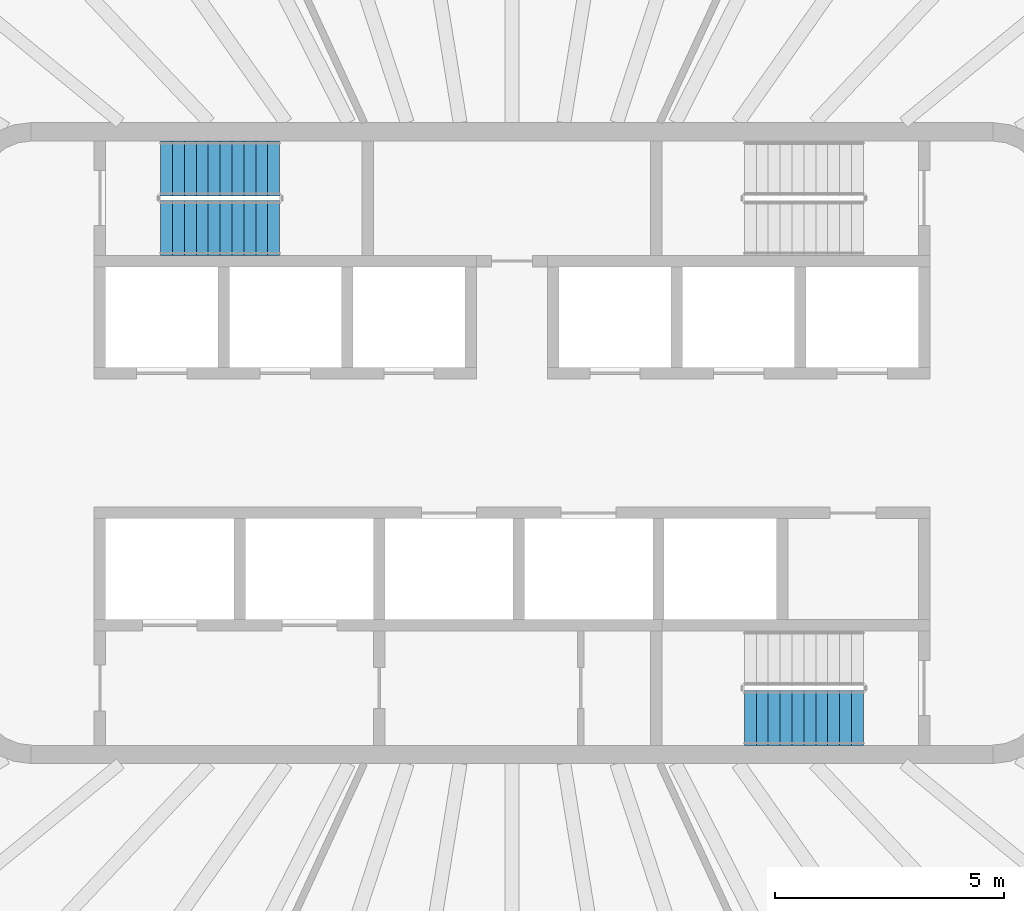
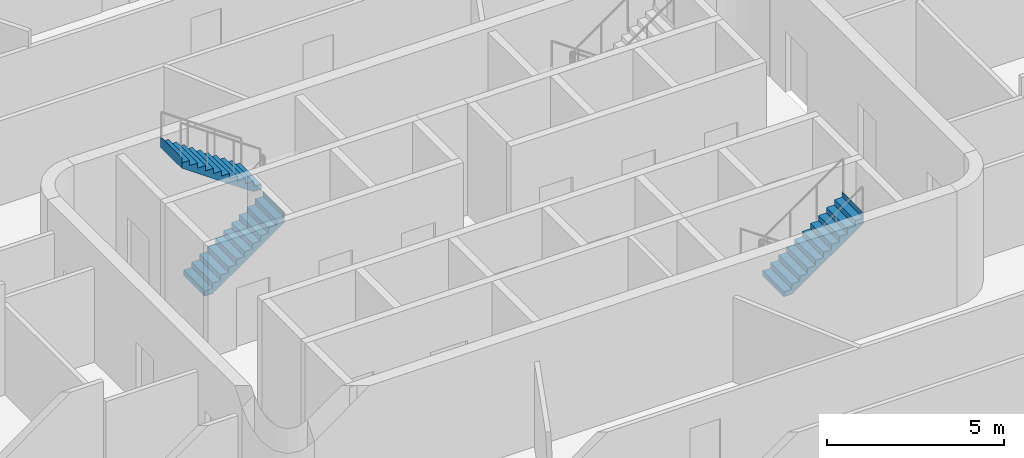
# One storey, part 12 of 18: 3 stair flights, 2 elements without a shape of their own.
"""IFC4 building model written with IfcOpenShell, lengths in metres."""

from ifc_helpers import new_model, si_unit, direction, frame, origin, place, context, subcontext, project, spatial, triangles, material, type_object, element, aggregate, save


model = new_model("IFC4")

# Units and contexts
model_context = context("Model", 3, precision=1e-05, world=origin(), true_north=direction((0.0, 1.0)))
body_context = subcontext(model_context, "Body", "Model", "MODEL_VIEW")
ifc_project = project(units=[si_unit("LENGTHUNIT", "METRE"), si_unit("AREAUNIT", "SQUARE_METRE"), si_unit("VOLUMEUNIT", "CUBIC_METRE"), si_unit("PLANEANGLEUNIT", "RADIAN"), si_unit("MASSUNIT", "GRAM", prefix="KILO")], contexts=[model_context])

# Site, building, storey
site_placement = place(None, origin())
site = spatial("IfcSite", under=ifc_project, at=site_placement, CompositionType="ELEMENT")
building_placement = place(site_placement, origin())
building = spatial("IfcBuilding", under=site, at=building_placement, Name="Sahrelin Media Tower", CompositionType="ELEMENT")
storey_placement = place(building_placement, frame((0.0, 0.0, 316.39990234375)))
storey = spatial("IfcBuildingStorey", under=building, at=storey_placement, Name="L70", CompositionType="ELEMENT", Elevation=316.39990234375)

# Stair, stair flights
ifc_material = material(Name="Concrete C40/50", Category="concrete")
stair_type = type_object("IfcStairType", Name="Exit stair 1200", PredefinedType="HALF_TURN_STAIR", material=ifc_material)
placement = place(storey_placement, origin())
stair_1 = element("IfcStair", 1, at=placement, inside=storey, type_object=stair_type, Name="L70 Exit stair ST1", PredefinedType="HALF_TURN_STAIR")
stair_flight_type = type_object("IfcStairFlightType", Name="Stair flight 1200", PredefinedType="STRAIGHT", material=ifc_material)
stair_flight_1_placement = place(storey_placement, frame((-7.675048828125, 4.699951171875, 0.0), z_axis=(0.0, 0.0, 1.0), x_axis=(1.0, 0.0, 0.0)))
stair_flight_1 = element("IfcStairFlight", 2, at=stair_flight_1_placement, type_object=stair_flight_type, Name="ST1 flight 1", NumberOfRisers=11, NumberOfTreads=10, PredefinedType="STRAIGHT", RiserHeight=0.181818182, TreadLength=0.26, context=body_context, shape_type="Tessellation", body=[
    triangles([(0.261474609375, 0.60009765625, 0.0), (0.261474609375, 0.300048828125, 0.0), (0.261474609375, 0.0, 0.0), (0.261474609375, -0.300048828125, 0.0), (0.261474609375, -0.60009765625, 0.0), (2.60009765625, 0.60009765625, 1.63525390625), (2.60009765625, 0.300048828125, 1.63525390625), (2.60009765625, 0.0, 1.63525390625), (2.60009765625, -0.300048828125, 1.63525390625), (2.60009765625, -0.60009765625, 1.63525390625), (2.60009765625, 0.60009765625, 2.0), (2.60009765625, 0.300048828125, 2.0), (2.60009765625, 0.0, 2.0), (2.60009765625, -0.300048828125, 2.0), (2.60009765625, -0.60009765625, 2.0), (2.597900390625, 0.60009765625, 2.0), (2.597900390625, 0.300048828125, 2.0), (2.597900390625, 0.0, 2.0), (2.597900390625, -0.300048828125, 2.0), (2.597900390625, -0.60009765625, 2.0), (2.597900390625, 0.60009765625, 1.818115234375), (2.597900390625, 0.300048828125, 1.818115234375), (2.597900390625, 0.0, 1.818115234375), (2.597900390625, -0.300048828125, 1.818115234375), (2.597900390625, -0.60009765625, 1.818115234375), (2.340087890625, 0.60009765625, 1.818115234375), (2.340087890625, 0.300048828125, 1.818115234375), (2.340087890625, 0.0, 1.818115234375), (2.340087890625, -0.300048828125, 1.818115234375), (2.340087890625, -0.60009765625, 1.818115234375), (2.340087890625, 0.60009765625, 1.636474609375), (2.340087890625, 0.300048828125, 1.636474609375), (2.340087890625, 0.0, 1.636474609375), (2.340087890625, -0.300048828125, 1.636474609375), (2.340087890625, -0.60009765625, 1.636474609375), (2.080078125, 0.60009765625, 1.636474609375), (2.080078125, 0.300048828125, 1.636474609375), (2.080078125, 0.0, 1.636474609375), (2.080078125, -0.300048828125, 1.636474609375), (2.080078125, -0.60009765625, 1.636474609375), (2.080078125, 0.60009765625, 1.45458984375), (2.080078125, 0.300048828125, 1.45458984375), (2.080078125, 0.0, 1.45458984375), (2.080078125, -0.300048828125, 1.45458984375), (2.080078125, -0.60009765625, 1.45458984375), (1.820068359375, 0.60009765625, 1.45458984375), (1.820068359375, 0.300048828125, 1.45458984375), (1.820068359375, 0.0, 1.45458984375), (1.820068359375, -0.300048828125, 1.45458984375), (1.820068359375, -0.60009765625, 1.45458984375), (1.820068359375, 0.60009765625, 1.272705078125), (1.820068359375, 0.300048828125, 1.272705078125), (1.820068359375, 0.0, 1.272705078125), (1.820068359375, -0.300048828125, 1.272705078125), (1.820068359375, -0.60009765625, 1.272705078125), (1.56005859375, 0.60009765625, 1.272705078125), (1.56005859375, 0.300048828125, 1.272705078125), (1.56005859375, 0.0, 1.272705078125), (1.56005859375, -0.300048828125, 1.272705078125), (1.56005859375, -0.60009765625, 1.272705078125), (1.56005859375, 0.60009765625, 1.0908203125), (1.56005859375, 0.300048828125, 1.0908203125), (1.56005859375, 0.0, 1.0908203125), (1.56005859375, -0.300048828125, 1.0908203125), (1.56005859375, -0.60009765625, 1.0908203125), (1.300048828125, 0.60009765625, 1.0908203125), (1.300048828125, 0.300048828125, 1.0908203125), (1.300048828125, 0.0, 1.0908203125), (1.300048828125, -0.300048828125, 1.0908203125), (1.300048828125, -0.60009765625, 1.0908203125), (1.300048828125, 0.60009765625, 0.9091796875), (1.300048828125, 0.300048828125, 0.9091796875), (1.300048828125, 0.0, 0.9091796875), (1.300048828125, -0.300048828125, 0.9091796875), (1.300048828125, -0.60009765625, 0.9091796875), (1.0400390625, 0.60009765625, 0.9091796875), (1.0400390625, 0.300048828125, 0.9091796875), (1.0400390625, 0.0, 0.9091796875), (1.0400390625, -0.300048828125, 0.9091796875), (1.0400390625, -0.60009765625, 0.9091796875), (1.0400390625, 0.60009765625, 0.727294921875), (1.0400390625, 0.300048828125, 0.727294921875), (1.0400390625, 0.0, 0.727294921875), (1.0400390625, -0.300048828125, 0.727294921875), (1.0400390625, -0.60009765625, 0.727294921875), (0.780029296875, 0.60009765625, 0.727294921875), (0.780029296875, 0.300048828125, 0.727294921875), (0.780029296875, 0.0, 0.727294921875), (0.780029296875, -0.300048828125, 0.727294921875), (0.780029296875, -0.60009765625, 0.727294921875), (0.780029296875, 0.60009765625, 0.54541015625), (0.780029296875, 0.300048828125, 0.54541015625), (0.780029296875, 0.0, 0.54541015625), (0.780029296875, -0.300048828125, 0.54541015625), (0.780029296875, -0.60009765625, 0.54541015625), (0.52001953125, 0.60009765625, 0.54541015625), (0.52001953125, 0.300048828125, 0.54541015625), (0.52001953125, 0.0, 0.54541015625), (0.52001953125, -0.300048828125, 0.54541015625), (0.52001953125, -0.60009765625, 0.54541015625), (0.52001953125, 0.60009765625, 0.363525390625), (0.52001953125, 0.300048828125, 0.363525390625), (0.52001953125, 0.0, 0.363525390625), (0.52001953125, -0.300048828125, 0.363525390625), (0.52001953125, -0.60009765625, 0.363525390625), (0.260009765625, 0.60009765625, 0.363525390625), (0.260009765625, 0.300048828125, 0.363525390625), (0.260009765625, 0.0, 0.363525390625), (0.260009765625, -0.300048828125, 0.363525390625), (0.260009765625, -0.60009765625, 0.363525390625), (0.260009765625, 0.60009765625, 0.181884765625), (0.260009765625, 0.300048828125, 0.181884765625), (0.260009765625, 0.0, 0.181884765625), (0.260009765625, -0.300048828125, 0.181884765625), (0.260009765625, -0.60009765625, 0.181884765625), (0.0, 0.60009765625, 0.181884765625), (0.0, 0.300048828125, 0.181884765625), (0.0, 0.0, 0.181884765625), (0.0, -0.300048828125, 0.181884765625), (0.0, -0.60009765625, 0.181884765625), (0.0, 0.60009765625, 0.0), (0.0, 0.300048828125, 0.0), (0.0, 0.0, 0.0), (0.0, -0.300048828125, 0.0), (0.0, -0.60009765625, 0.0)], [[1, 6, 7], [1, 7, 2], [2, 7, 8], [2, 8, 3], [3, 8, 9], [3, 9, 4], [4, 9, 10], [4, 10, 5], [6, 11, 12], [6, 12, 7], [7, 12, 13], [7, 13, 8], [8, 13, 14], [8, 14, 9], [9, 14, 15], [9, 15, 10], [11, 16, 17], [11, 17, 12], [12, 17, 18], [12, 18, 13], [13, 18, 19], [13, 19, 14], [14, 19, 20], [14, 20, 15], [16, 21, 22], [16, 22, 17], [17, 22, 23], [17, 23, 18], [18, 23, 24], [18, 24, 19], [19, 24, 25], [19, 25, 20], [21, 26, 27], [21, 27, 22], [22, 27, 28], [22, 28, 23], [23, 28, 29], [23, 29, 24], [24, 29, 30], [24, 30, 25], [26, 31, 32], [26, 32, 27], [27, 32, 33], [27, 33, 28], [28, 33, 34], [28, 34, 29], [29, 34, 35], [29, 35, 30], [31, 36, 37], [31, 37, 32], [32, 37, 38], [32, 38, 33], [33, 38, 39], [33, 39, 34], [34, 39, 40], [34, 40, 35], [36, 41, 42], [36, 42, 37], [37, 42, 43], [37, 43, 38], [38, 43, 44], [38, 44, 39], [39, 44, 45], [39, 45, 40], [41, 46, 47], [41, 47, 42], [42, 47, 48], [42, 48, 43], [43, 48, 49], [43, 49, 44], [44, 49, 50], [44, 50, 45], [46, 51, 52], [46, 52, 47], [47, 52, 53], [47, 53, 48], [48, 53, 54], [48, 54, 49], [49, 54, 55], [49, 55, 50], [51, 56, 57], [51, 57, 52], [52, 57, 58], [52, 58, 53], [53, 58, 59], [53, 59, 54], [54, 59, 60], [54, 60, 55], [56, 61, 62], [56, 62, 57], [57, 62, 63], [57, 63, 58], [58, 63, 64], [58, 64, 59], [59, 64, 65], [59, 65, 60], [61, 66, 67], [61, 67, 62], [62, 67, 68], [62, 68, 63], [63, 68, 69], [63, 69, 64], [64, 69, 70], [64, 70, 65], [66, 71, 72], [66, 72, 67], [67, 72, 73], [67, 73, 68], [68, 73, 74], [68, 74, 69], [69, 74, 75], [69, 75, 70], [71, 76, 77], [71, 77, 72], [72, 77, 78], [72, 78, 73], [73, 78, 79], [73, 79, 74], [74, 79, 80], [74, 80, 75], [76, 81, 82], [76, 82, 77], [77, 82, 83], [77, 83, 78], [78, 83, 84], [78, 84, 79], [79, 84, 85], [79, 85, 80], [81, 86, 87], [81, 87, 82], [82, 87, 88], [82, 88, 83], [83, 88, 89], [83, 89, 84], [84, 89, 90], [84, 90, 85], [86, 91, 92], [86, 92, 87], [87, 92, 93], [87, 93, 88], [88, 93, 94], [88, 94, 89], [89, 94, 95], [89, 95, 90], [91, 96, 97], [91, 97, 92], [92, 97, 98], [92, 98, 93], [93, 98, 99], [93, 99, 94], [94, 99, 100], [94, 100, 95], [96, 101, 102], [96, 102, 97], [97, 102, 103], [97, 103, 98], [98, 103, 104], [98, 104, 99], [99, 104, 105], [99, 105, 100], [101, 106, 107], [101, 107, 102], [102, 107, 108], [102, 108, 103], [103, 108, 109], [103, 109, 104], [104, 109, 110], [104, 110, 105], [106, 111, 112], [106, 112, 107], [107, 112, 113], [107, 113, 108], [108, 113, 114], [108, 114, 109], [109, 114, 115], [109, 115, 110], [111, 116, 117], [111, 117, 112], [112, 117, 118], [112, 118, 113], [113, 118, 119], [113, 119, 114], [114, 119, 120], [114, 120, 115], [116, 121, 122], [116, 122, 117], [117, 122, 123], [117, 123, 118], [118, 123, 124], [118, 124, 119], [119, 124, 125], [119, 125, 120], [121, 1, 2], [121, 2, 122], [122, 2, 3], [122, 3, 123], [123, 3, 4], [123, 4, 124], [124, 4, 5], [124, 5, 125], [115, 120, 125], [111, 121, 116], [115, 105, 110], [111, 106, 101], [105, 95, 100], [101, 96, 91], [95, 85, 90], [91, 86, 81], [85, 75, 80], [81, 76, 71], [75, 65, 70], [71, 66, 61], [65, 55, 60], [61, 56, 51], [55, 45, 50], [51, 46, 41], [45, 35, 40], [41, 36, 31], [35, 25, 30], [31, 26, 21], [25, 15, 20], [21, 16, 11], [125, 5, 115], [121, 111, 1], [25, 10, 15], [21, 11, 6], [105, 115, 5], [101, 1, 111], [35, 10, 25], [31, 21, 6], [95, 105, 5], [91, 1, 101], [45, 10, 35], [41, 31, 6], [85, 95, 5], [81, 1, 91], [55, 10, 45], [51, 41, 6], [75, 85, 5], [71, 1, 81], [65, 10, 55], [61, 51, 6], [5, 10, 75], [1, 71, 6], [75, 10, 65], [71, 61, 6]], closed=True),
])
stair_flight_2_placement = place(storey_placement, frame((-5.074951171875, 6.0, 2.0), z_axis=(0.0, 0.0, 1.0), x_axis=(-1.0, 0.0, 0.0)))
stair_flight_2 = element("IfcStairFlight", 3, at=stair_flight_2_placement, type_object=stair_flight_type, Name="ST1 flight 2", NumberOfRisers=11, NumberOfTreads=10, PredefinedType="STRAIGHT", RiserHeight=0.181818182, TreadLength=0.26, context=body_context, shape_type="Tessellation", body=[
    triangles([(0.261474609375, 0.60009765625, 0.0), (0.261474609375, 0.300048828125, 0.0), (0.261474609375, 0.0, 0.0), (0.261474609375, -0.300048828125, 0.0), (0.261474609375, -0.60009765625, 0.0), (2.60009765625, 0.60009765625, 1.63525390625), (2.60009765625, 0.300048828125, 1.63525390625), (2.60009765625, 0.0, 1.63525390625), (2.60009765625, -0.300048828125, 1.63525390625), (2.60009765625, -0.60009765625, 1.63525390625), (2.60009765625, 0.60009765625, 2.0), (2.60009765625, 0.300048828125, 2.0), (2.60009765625, 0.0, 2.0), (2.60009765625, -0.300048828125, 2.0), (2.60009765625, -0.60009765625, 2.0), (2.597900390625, 0.60009765625, 2.0), (2.597900390625, 0.300048828125, 2.0), (2.597900390625, 0.0, 2.0), (2.597900390625, -0.300048828125, 2.0), (2.597900390625, -0.60009765625, 2.0), (2.597900390625, 0.60009765625, 1.818115234375), (2.597900390625, 0.300048828125, 1.818115234375), (2.597900390625, 0.0, 1.818115234375), (2.597900390625, -0.300048828125, 1.818115234375), (2.597900390625, -0.60009765625, 1.818115234375), (2.340087890625, 0.60009765625, 1.818115234375), (2.340087890625, 0.300048828125, 1.818115234375), (2.340087890625, 0.0, 1.818115234375), (2.340087890625, -0.300048828125, 1.818115234375), (2.340087890625, -0.60009765625, 1.818115234375), (2.340087890625, 0.60009765625, 1.636474609375), (2.340087890625, 0.300048828125, 1.636474609375), (2.340087890625, 0.0, 1.636474609375), (2.340087890625, -0.300048828125, 1.636474609375), (2.340087890625, -0.60009765625, 1.636474609375), (2.080078125, 0.60009765625, 1.636474609375), (2.080078125, 0.300048828125, 1.636474609375), (2.080078125, 0.0, 1.636474609375), (2.080078125, -0.300048828125, 1.636474609375), (2.080078125, -0.60009765625, 1.636474609375), (2.080078125, 0.60009765625, 1.45458984375), (2.080078125, 0.300048828125, 1.45458984375), (2.080078125, 0.0, 1.45458984375), (2.080078125, -0.300048828125, 1.45458984375), (2.080078125, -0.60009765625, 1.45458984375), (1.820068359375, 0.60009765625, 1.45458984375), (1.820068359375, 0.300048828125, 1.45458984375), (1.820068359375, 0.0, 1.45458984375), (1.820068359375, -0.300048828125, 1.45458984375), (1.820068359375, -0.60009765625, 1.45458984375), (1.820068359375, 0.60009765625, 1.272705078125), (1.820068359375, 0.300048828125, 1.272705078125), (1.820068359375, 0.0, 1.272705078125), (1.820068359375, -0.300048828125, 1.272705078125), (1.820068359375, -0.60009765625, 1.272705078125), (1.56005859375, 0.60009765625, 1.272705078125), (1.56005859375, 0.300048828125, 1.272705078125), (1.56005859375, 0.0, 1.272705078125), (1.56005859375, -0.300048828125, 1.272705078125), (1.56005859375, -0.60009765625, 1.272705078125), (1.56005859375, 0.60009765625, 1.0908203125), (1.56005859375, 0.300048828125, 1.0908203125), (1.56005859375, 0.0, 1.0908203125), (1.56005859375, -0.300048828125, 1.0908203125), (1.56005859375, -0.60009765625, 1.0908203125), (1.300048828125, 0.60009765625, 1.0908203125), (1.300048828125, 0.300048828125, 1.0908203125), (1.300048828125, 0.0, 1.0908203125), (1.300048828125, -0.300048828125, 1.0908203125), (1.300048828125, -0.60009765625, 1.0908203125), (1.300048828125, 0.60009765625, 0.9091796875), (1.300048828125, 0.300048828125, 0.9091796875), (1.300048828125, 0.0, 0.9091796875), (1.300048828125, -0.300048828125, 0.9091796875), (1.300048828125, -0.60009765625, 0.9091796875), (1.0400390625, 0.60009765625, 0.9091796875), (1.0400390625, 0.300048828125, 0.9091796875), (1.0400390625, 0.0, 0.9091796875), (1.0400390625, -0.300048828125, 0.9091796875), (1.0400390625, -0.60009765625, 0.9091796875), (1.0400390625, 0.60009765625, 0.727294921875), (1.0400390625, 0.300048828125, 0.727294921875), (1.0400390625, 0.0, 0.727294921875), (1.0400390625, -0.300048828125, 0.727294921875), (1.0400390625, -0.60009765625, 0.727294921875), (0.780029296875, 0.60009765625, 0.727294921875), (0.780029296875, 0.300048828125, 0.727294921875), (0.780029296875, 0.0, 0.727294921875), (0.780029296875, -0.300048828125, 0.727294921875), (0.780029296875, -0.60009765625, 0.727294921875), (0.780029296875, 0.60009765625, 0.54541015625), (0.780029296875, 0.300048828125, 0.54541015625), (0.780029296875, 0.0, 0.54541015625), (0.780029296875, -0.300048828125, 0.54541015625), (0.780029296875, -0.60009765625, 0.54541015625), (0.52001953125, 0.60009765625, 0.54541015625), (0.52001953125, 0.300048828125, 0.54541015625), (0.52001953125, 0.0, 0.54541015625), (0.52001953125, -0.300048828125, 0.54541015625), (0.52001953125, -0.60009765625, 0.54541015625), (0.52001953125, 0.60009765625, 0.363525390625), (0.52001953125, 0.300048828125, 0.363525390625), (0.52001953125, 0.0, 0.363525390625), (0.52001953125, -0.300048828125, 0.363525390625), (0.52001953125, -0.60009765625, 0.363525390625), (0.260009765625, 0.60009765625, 0.363525390625), (0.260009765625, 0.300048828125, 0.363525390625), (0.260009765625, 0.0, 0.363525390625), (0.260009765625, -0.300048828125, 0.363525390625), (0.260009765625, -0.60009765625, 0.363525390625), (0.260009765625, 0.60009765625, 0.181884765625), (0.260009765625, 0.300048828125, 0.181884765625), (0.260009765625, 0.0, 0.181884765625), (0.260009765625, -0.300048828125, 0.181884765625), (0.260009765625, -0.60009765625, 0.181884765625), (0.0, 0.60009765625, 0.181884765625), (0.0, 0.300048828125, 0.181884765625), (0.0, 0.0, 0.181884765625), (0.0, -0.300048828125, 0.181884765625), (0.0, -0.60009765625, 0.181884765625), (0.0, 0.60009765625, 0.0), (0.0, 0.300048828125, 0.0), (0.0, 0.0, 0.0), (0.0, -0.300048828125, 0.0), (0.0, -0.60009765625, 0.0)], [[1, 6, 7], [1, 7, 2], [2, 7, 8], [2, 8, 3], [3, 8, 9], [3, 9, 4], [4, 9, 10], [4, 10, 5], [6, 11, 12], [6, 12, 7], [7, 12, 13], [7, 13, 8], [8, 13, 14], [8, 14, 9], [9, 14, 15], [9, 15, 10], [11, 16, 17], [11, 17, 12], [12, 17, 18], [12, 18, 13], [13, 18, 19], [13, 19, 14], [14, 19, 20], [14, 20, 15], [16, 21, 22], [16, 22, 17], [17, 22, 23], [17, 23, 18], [18, 23, 24], [18, 24, 19], [19, 24, 25], [19, 25, 20], [21, 26, 27], [21, 27, 22], [22, 27, 28], [22, 28, 23], [23, 28, 29], [23, 29, 24], [24, 29, 30], [24, 30, 25], [26, 31, 32], [26, 32, 27], [27, 32, 33], [27, 33, 28], [28, 33, 34], [28, 34, 29], [29, 34, 35], [29, 35, 30], [31, 36, 37], [31, 37, 32], [32, 37, 38], [32, 38, 33], [33, 38, 39], [33, 39, 34], [34, 39, 40], [34, 40, 35], [36, 41, 42], [36, 42, 37], [37, 42, 43], [37, 43, 38], [38, 43, 44], [38, 44, 39], [39, 44, 45], [39, 45, 40], [41, 46, 47], [41, 47, 42], [42, 47, 48], [42, 48, 43], [43, 48, 49], [43, 49, 44], [44, 49, 50], [44, 50, 45], [46, 51, 52], [46, 52, 47], [47, 52, 53], [47, 53, 48], [48, 53, 54], [48, 54, 49], [49, 54, 55], [49, 55, 50], [51, 56, 57], [51, 57, 52], [52, 57, 58], [52, 58, 53], [53, 58, 59], [53, 59, 54], [54, 59, 60], [54, 60, 55], [56, 61, 62], [56, 62, 57], [57, 62, 63], [57, 63, 58], [58, 63, 64], [58, 64, 59], [59, 64, 65], [59, 65, 60], [61, 66, 67], [61, 67, 62], [62, 67, 68], [62, 68, 63], [63, 68, 69], [63, 69, 64], [64, 69, 70], [64, 70, 65], [66, 71, 72], [66, 72, 67], [67, 72, 73], [67, 73, 68], [68, 73, 74], [68, 74, 69], [69, 74, 75], [69, 75, 70], [71, 76, 77], [71, 77, 72], [72, 77, 78], [72, 78, 73], [73, 78, 79], [73, 79, 74], [74, 79, 80], [74, 80, 75], [76, 81, 82], [76, 82, 77], [77, 82, 83], [77, 83, 78], [78, 83, 84], [78, 84, 79], [79, 84, 85], [79, 85, 80], [81, 86, 87], [81, 87, 82], [82, 87, 88], [82, 88, 83], [83, 88, 89], [83, 89, 84], [84, 89, 90], [84, 90, 85], [86, 91, 92], [86, 92, 87], [87, 92, 93], [87, 93, 88], [88, 93, 94], [88, 94, 89], [89, 94, 95], [89, 95, 90], [91, 96, 97], [91, 97, 92], [92, 97, 98], [92, 98, 93], [93, 98, 99], [93, 99, 94], [94, 99, 100], [94, 100, 95], [96, 101, 102], [96, 102, 97], [97, 102, 103], [97, 103, 98], [98, 103, 104], [98, 104, 99], [99, 104, 105], [99, 105, 100], [101, 106, 107], [101, 107, 102], [102, 107, 108], [102, 108, 103], [103, 108, 109], [103, 109, 104], [104, 109, 110], [104, 110, 105], [106, 111, 112], [106, 112, 107], [107, 112, 113], [107, 113, 108], [108, 113, 114], [108, 114, 109], [109, 114, 115], [109, 115, 110], [111, 116, 117], [111, 117, 112], [112, 117, 118], [112, 118, 113], [113, 118, 119], [113, 119, 114], [114, 119, 120], [114, 120, 115], [116, 121, 122], [116, 122, 117], [117, 122, 123], [117, 123, 118], [118, 123, 124], [118, 124, 119], [119, 124, 125], [119, 125, 120], [121, 1, 2], [121, 2, 122], [122, 2, 3], [122, 3, 123], [123, 3, 4], [123, 4, 124], [124, 4, 5], [124, 5, 125], [115, 120, 125], [111, 121, 116], [115, 105, 110], [111, 106, 101], [105, 95, 100], [101, 96, 91], [95, 85, 90], [91, 86, 81], [85, 75, 80], [81, 76, 71], [75, 65, 70], [71, 66, 61], [65, 55, 60], [61, 56, 51], [55, 45, 50], [51, 46, 41], [45, 35, 40], [41, 36, 31], [35, 25, 30], [31, 26, 21], [25, 15, 20], [21, 16, 11], [125, 5, 115], [121, 111, 1], [25, 10, 15], [21, 11, 6], [105, 115, 5], [101, 1, 111], [35, 10, 25], [31, 21, 6], [95, 105, 5], [91, 1, 101], [45, 10, 35], [41, 31, 6], [85, 95, 5], [81, 1, 91], [55, 10, 45], [51, 41, 6], [75, 85, 5], [71, 1, 81], [65, 10, 55], [61, 51, 6], [5, 10, 75], [1, 71, 6], [75, 10, 65], [71, 61, 6]], closed=True),
])
aggregate(stair_1, [stair_flight_1, stair_flight_2])

# Stair, stair flight
stair_2 = element("IfcStair", 4, at=placement, inside=storey, type_object=stair_type, Name="L70 Exit stair ST2", PredefinedType="HALF_TURN_STAIR")
stair_flight_3_placement = place(storey_placement, frame((5.074951171875, -6.0, 2.0), z_axis=(0.0, 0.0, 1.0), x_axis=(1.0, 0.0, 0.0)))
stair_flight_3 = element("IfcStairFlight", 5, at=stair_flight_3_placement, type_object=stair_flight_type, Name="ST2 flight 2", NumberOfRisers=11, NumberOfTreads=10, PredefinedType="STRAIGHT", RiserHeight=0.181818182, TreadLength=0.26, context=body_context, shape_type="Tessellation", body=[
    triangles([(0.261474609375, 0.60009765625, 0.0), (0.261474609375, 0.300048828125, 0.0), (0.261474609375, 0.0, 0.0), (0.261474609375, -0.300048828125, 0.0), (0.261474609375, -0.60009765625, 0.0), (2.60009765625, 0.60009765625, 1.63525390625), (2.60009765625, 0.300048828125, 1.63525390625), (2.60009765625, 0.0, 1.63525390625), (2.60009765625, -0.300048828125, 1.63525390625), (2.60009765625, -0.60009765625, 1.63525390625), (2.60009765625, 0.60009765625, 2.0), (2.60009765625, 0.300048828125, 2.0), (2.60009765625, 0.0, 2.0), (2.60009765625, -0.300048828125, 2.0), (2.60009765625, -0.60009765625, 2.0), (2.597900390625, 0.60009765625, 2.0), (2.597900390625, 0.300048828125, 2.0), (2.597900390625, 0.0, 2.0), (2.597900390625, -0.300048828125, 2.0), (2.597900390625, -0.60009765625, 2.0), (2.597900390625, 0.60009765625, 1.818115234375), (2.597900390625, 0.300048828125, 1.818115234375), (2.597900390625, 0.0, 1.818115234375), (2.597900390625, -0.300048828125, 1.818115234375), (2.597900390625, -0.60009765625, 1.818115234375), (2.340087890625, 0.60009765625, 1.818115234375), (2.340087890625, 0.300048828125, 1.818115234375), (2.340087890625, 0.0, 1.818115234375), (2.340087890625, -0.300048828125, 1.818115234375), (2.340087890625, -0.60009765625, 1.818115234375), (2.340087890625, 0.60009765625, 1.636474609375), (2.340087890625, 0.300048828125, 1.636474609375), (2.340087890625, 0.0, 1.636474609375), (2.340087890625, -0.300048828125, 1.636474609375), (2.340087890625, -0.60009765625, 1.636474609375), (2.080078125, 0.60009765625, 1.636474609375), (2.080078125, 0.300048828125, 1.636474609375), (2.080078125, 0.0, 1.636474609375), (2.080078125, -0.300048828125, 1.636474609375), (2.080078125, -0.60009765625, 1.636474609375), (2.080078125, 0.60009765625, 1.45458984375), (2.080078125, 0.300048828125, 1.45458984375), (2.080078125, 0.0, 1.45458984375), (2.080078125, -0.300048828125, 1.45458984375), (2.080078125, -0.60009765625, 1.45458984375), (1.820068359375, 0.60009765625, 1.45458984375), (1.820068359375, 0.300048828125, 1.45458984375), (1.820068359375, 0.0, 1.45458984375), (1.820068359375, -0.300048828125, 1.45458984375), (1.820068359375, -0.60009765625, 1.45458984375), (1.820068359375, 0.60009765625, 1.272705078125), (1.820068359375, 0.300048828125, 1.272705078125), (1.820068359375, 0.0, 1.272705078125), (1.820068359375, -0.300048828125, 1.272705078125), (1.820068359375, -0.60009765625, 1.272705078125), (1.56005859375, 0.60009765625, 1.272705078125), (1.56005859375, 0.300048828125, 1.272705078125), (1.56005859375, 0.0, 1.272705078125), (1.56005859375, -0.300048828125, 1.272705078125), (1.56005859375, -0.60009765625, 1.272705078125), (1.56005859375, 0.60009765625, 1.0908203125), (1.56005859375, 0.300048828125, 1.0908203125), (1.56005859375, 0.0, 1.0908203125), (1.56005859375, -0.300048828125, 1.0908203125), (1.56005859375, -0.60009765625, 1.0908203125), (1.300048828125, 0.60009765625, 1.0908203125), (1.300048828125, 0.300048828125, 1.0908203125), (1.300048828125, 0.0, 1.0908203125), (1.300048828125, -0.300048828125, 1.0908203125), (1.300048828125, -0.60009765625, 1.0908203125), (1.300048828125, 0.60009765625, 0.9091796875), (1.300048828125, 0.300048828125, 0.9091796875), (1.300048828125, 0.0, 0.9091796875), (1.300048828125, -0.300048828125, 0.9091796875), (1.300048828125, -0.60009765625, 0.9091796875), (1.0400390625, 0.60009765625, 0.9091796875), (1.0400390625, 0.300048828125, 0.9091796875), (1.0400390625, 0.0, 0.9091796875), (1.0400390625, -0.300048828125, 0.9091796875), (1.0400390625, -0.60009765625, 0.9091796875), (1.0400390625, 0.60009765625, 0.727294921875), (1.0400390625, 0.300048828125, 0.727294921875), (1.0400390625, 0.0, 0.727294921875), (1.0400390625, -0.300048828125, 0.727294921875), (1.0400390625, -0.60009765625, 0.727294921875), (0.780029296875, 0.60009765625, 0.727294921875), (0.780029296875, 0.300048828125, 0.727294921875), (0.780029296875, 0.0, 0.727294921875), (0.780029296875, -0.300048828125, 0.727294921875), (0.780029296875, -0.60009765625, 0.727294921875), (0.780029296875, 0.60009765625, 0.54541015625), (0.780029296875, 0.300048828125, 0.54541015625), (0.780029296875, 0.0, 0.54541015625), (0.780029296875, -0.300048828125, 0.54541015625), (0.780029296875, -0.60009765625, 0.54541015625), (0.52001953125, 0.60009765625, 0.54541015625), (0.52001953125, 0.300048828125, 0.54541015625), (0.52001953125, 0.0, 0.54541015625), (0.52001953125, -0.300048828125, 0.54541015625), (0.52001953125, -0.60009765625, 0.54541015625), (0.52001953125, 0.60009765625, 0.363525390625), (0.52001953125, 0.300048828125, 0.363525390625), (0.52001953125, 0.0, 0.363525390625), (0.52001953125, -0.300048828125, 0.363525390625), (0.52001953125, -0.60009765625, 0.363525390625), (0.260009765625, 0.60009765625, 0.363525390625), (0.260009765625, 0.300048828125, 0.363525390625), (0.260009765625, 0.0, 0.363525390625), (0.260009765625, -0.300048828125, 0.363525390625), (0.260009765625, -0.60009765625, 0.363525390625), (0.260009765625, 0.60009765625, 0.181884765625), (0.260009765625, 0.300048828125, 0.181884765625), (0.260009765625, 0.0, 0.181884765625), (0.260009765625, -0.300048828125, 0.181884765625), (0.260009765625, -0.60009765625, 0.181884765625), (0.0, 0.60009765625, 0.181884765625), (0.0, 0.300048828125, 0.181884765625), (0.0, 0.0, 0.181884765625), (0.0, -0.300048828125, 0.181884765625), (0.0, -0.60009765625, 0.181884765625), (0.0, 0.60009765625, 0.0), (0.0, 0.300048828125, 0.0), (0.0, 0.0, 0.0), (0.0, -0.300048828125, 0.0), (0.0, -0.60009765625, 0.0)], [[1, 6, 7], [1, 7, 2], [2, 7, 8], [2, 8, 3], [3, 8, 9], [3, 9, 4], [4, 9, 10], [4, 10, 5], [6, 11, 12], [6, 12, 7], [7, 12, 13], [7, 13, 8], [8, 13, 14], [8, 14, 9], [9, 14, 15], [9, 15, 10], [11, 16, 17], [11, 17, 12], [12, 17, 18], [12, 18, 13], [13, 18, 19], [13, 19, 14], [14, 19, 20], [14, 20, 15], [16, 21, 22], [16, 22, 17], [17, 22, 23], [17, 23, 18], [18, 23, 24], [18, 24, 19], [19, 24, 25], [19, 25, 20], [21, 26, 27], [21, 27, 22], [22, 27, 28], [22, 28, 23], [23, 28, 29], [23, 29, 24], [24, 29, 30], [24, 30, 25], [26, 31, 32], [26, 32, 27], [27, 32, 33], [27, 33, 28], [28, 33, 34], [28, 34, 29], [29, 34, 35], [29, 35, 30], [31, 36, 37], [31, 37, 32], [32, 37, 38], [32, 38, 33], [33, 38, 39], [33, 39, 34], [34, 39, 40], [34, 40, 35], [36, 41, 42], [36, 42, 37], [37, 42, 43], [37, 43, 38], [38, 43, 44], [38, 44, 39], [39, 44, 45], [39, 45, 40], [41, 46, 47], [41, 47, 42], [42, 47, 48], [42, 48, 43], [43, 48, 49], [43, 49, 44], [44, 49, 50], [44, 50, 45], [46, 51, 52], [46, 52, 47], [47, 52, 53], [47, 53, 48], [48, 53, 54], [48, 54, 49], [49, 54, 55], [49, 55, 50], [51, 56, 57], [51, 57, 52], [52, 57, 58], [52, 58, 53], [53, 58, 59], [53, 59, 54], [54, 59, 60], [54, 60, 55], [56, 61, 62], [56, 62, 57], [57, 62, 63], [57, 63, 58], [58, 63, 64], [58, 64, 59], [59, 64, 65], [59, 65, 60], [61, 66, 67], [61, 67, 62], [62, 67, 68], [62, 68, 63], [63, 68, 69], [63, 69, 64], [64, 69, 70], [64, 70, 65], [66, 71, 72], [66, 72, 67], [67, 72, 73], [67, 73, 68], [68, 73, 74], [68, 74, 69], [69, 74, 75], [69, 75, 70], [71, 76, 77], [71, 77, 72], [72, 77, 78], [72, 78, 73], [73, 78, 79], [73, 79, 74], [74, 79, 80], [74, 80, 75], [76, 81, 82], [76, 82, 77], [77, 82, 83], [77, 83, 78], [78, 83, 84], [78, 84, 79], [79, 84, 85], [79, 85, 80], [81, 86, 87], [81, 87, 82], [82, 87, 88], [82, 88, 83], [83, 88, 89], [83, 89, 84], [84, 89, 90], [84, 90, 85], [86, 91, 92], [86, 92, 87], [87, 92, 93], [87, 93, 88], [88, 93, 94], [88, 94, 89], [89, 94, 95], [89, 95, 90], [91, 96, 97], [91, 97, 92], [92, 97, 98], [92, 98, 93], [93, 98, 99], [93, 99, 94], [94, 99, 100], [94, 100, 95], [96, 101, 102], [96, 102, 97], [97, 102, 103], [97, 103, 98], [98, 103, 104], [98, 104, 99], [99, 104, 105], [99, 105, 100], [101, 106, 107], [101, 107, 102], [102, 107, 108], [102, 108, 103], [103, 108, 109], [103, 109, 104], [104, 109, 110], [104, 110, 105], [106, 111, 112], [106, 112, 107], [107, 112, 113], [107, 113, 108], [108, 113, 114], [108, 114, 109], [109, 114, 115], [109, 115, 110], [111, 116, 117], [111, 117, 112], [112, 117, 118], [112, 118, 113], [113, 118, 119], [113, 119, 114], [114, 119, 120], [114, 120, 115], [116, 121, 122], [116, 122, 117], [117, 122, 123], [117, 123, 118], [118, 123, 124], [118, 124, 119], [119, 124, 125], [119, 125, 120], [121, 1, 2], [121, 2, 122], [122, 2, 3], [122, 3, 123], [123, 3, 4], [123, 4, 124], [124, 4, 5], [124, 5, 125], [115, 120, 125], [111, 121, 116], [115, 105, 110], [111, 106, 101], [105, 95, 100], [101, 96, 91], [95, 85, 90], [91, 86, 81], [85, 75, 80], [81, 76, 71], [75, 65, 70], [71, 66, 61], [65, 55, 60], [61, 56, 51], [55, 45, 50], [51, 46, 41], [45, 35, 40], [41, 36, 31], [35, 25, 30], [31, 26, 21], [25, 15, 20], [21, 16, 11], [125, 5, 115], [121, 111, 1], [25, 10, 15], [21, 11, 6], [105, 115, 5], [101, 1, 111], [35, 10, 25], [31, 21, 6], [95, 105, 5], [91, 1, 101], [45, 10, 35], [41, 31, 6], [85, 95, 5], [81, 1, 91], [55, 10, 45], [51, 41, 6], [75, 85, 5], [71, 1, 81], [65, 10, 55], [61, 51, 6], [5, 10, 75], [1, 71, 6], [75, 10, 65], [71, 61, 6]], closed=True),
])
aggregate(stair_2, [stair_flight_3])

save(model, "model.ifc")
